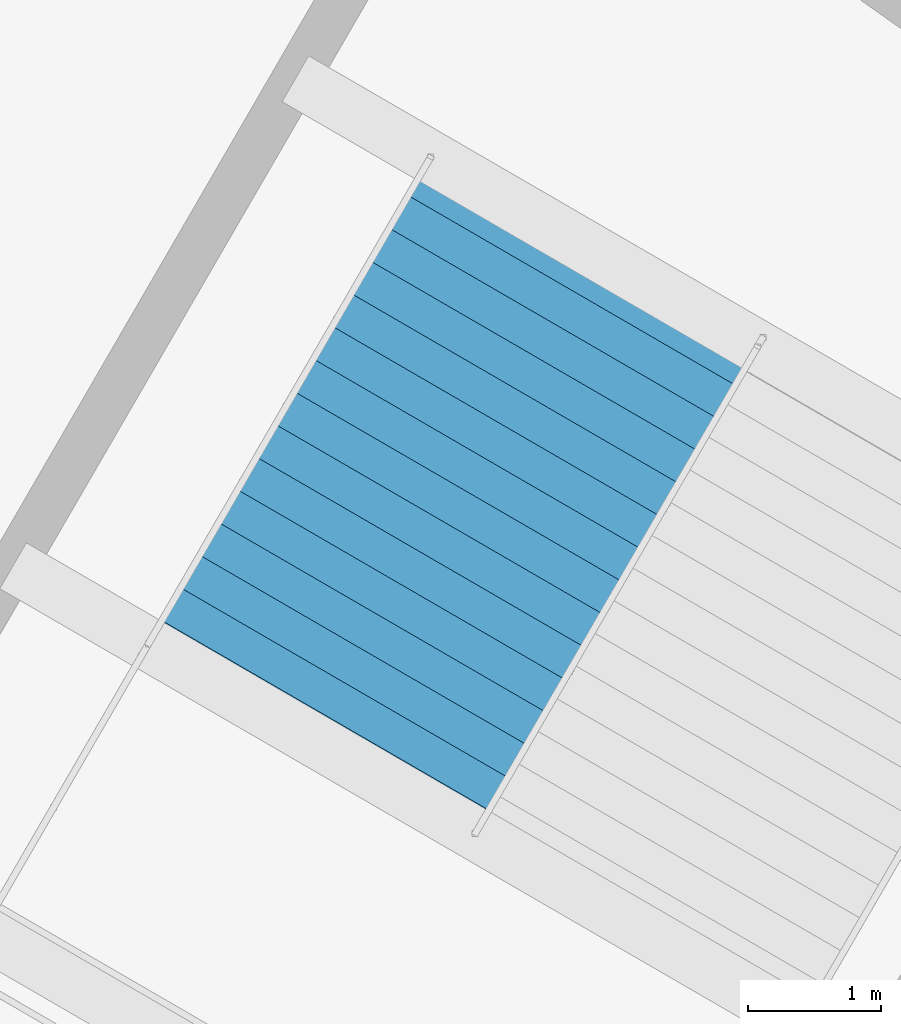
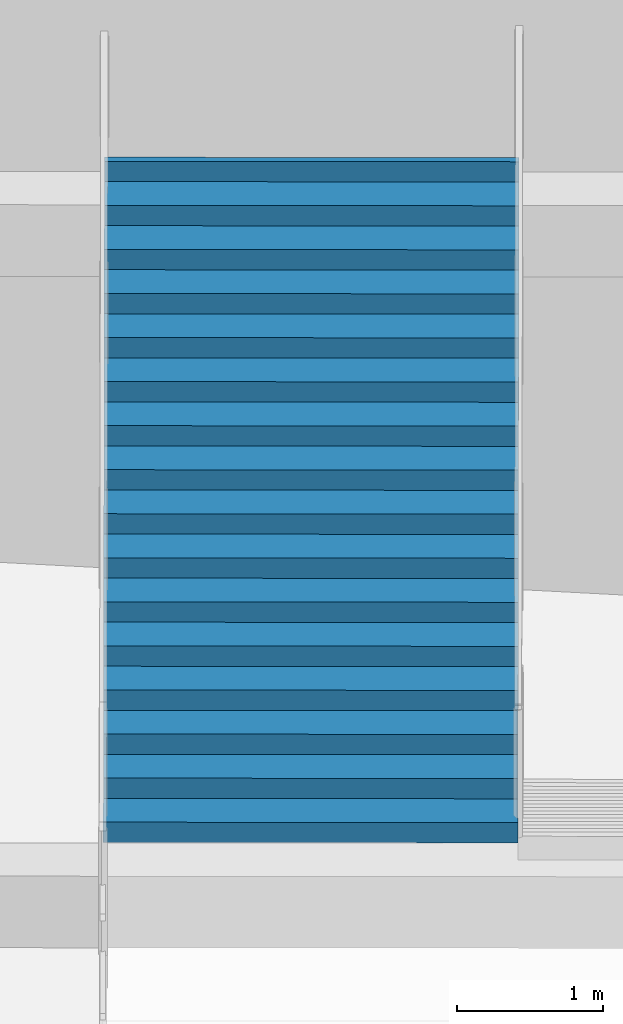
# One storey, part 157 of 186: 1 stair flight, 1 element without a shape of its own.
"""IFC4 building model written with IfcOpenShell, lengths in metres."""

from ifc_helpers import new_model, si_unit, direction, frame, origin, place, context, subcontext, project, spatial, polygons, material, type_object, element, aggregate, save


model = new_model("IFC4")

# Units and contexts
model_context = context("Model", 3, precision=1e-05, world=origin(), true_north=direction((0.0, 1.0)))
body_context = subcontext(model_context, "Body", "Model", "MODEL_VIEW")
ifc_project = project(units=[si_unit("LENGTHUNIT", "METRE"), si_unit("AREAUNIT", "SQUARE_METRE"), si_unit("VOLUMEUNIT", "CUBIC_METRE"), si_unit("PLANEANGLEUNIT", "RADIAN"), si_unit("MASSUNIT", "GRAM", prefix="KILO")], contexts=[model_context])

# Site, building, storey
site_placement = place(None, origin())
site = spatial("IfcSite", under=ifc_project, at=site_placement, CompositionType="ELEMENT")
building_placement = place(site_placement, origin())
building = spatial("IfcBuilding", under=site, at=building_placement, Name="Kazemori Nagisa Stadium", CompositionType="ELEMENT")
storey_placement = place(building_placement, frame((0.0, 0.0, 20.39990234375)))
storey = spatial("IfcBuildingStorey", under=building, at=storey_placement, Name="L04", CompositionType="ELEMENT", Elevation=20.39990234375)

# Stair, stair flight
ifc_material = material(Name="Concrete C36/45 (Fc36)", Category="concrete")
stair_type = type_object("IfcStairType", Name="Stair_CORE_32", PredefinedType="TWO_STRAIGHT_RUN_STAIR", material=ifc_material)
stair_placement = place(storey_placement, origin())
stair = element("IfcStair", 1, at=stair_placement, inside=storey, type_object=stair_type, Name="Exit stair ST08 L04", PredefinedType="TWO_STRAIGHT_RUN_STAIR")
stair_flight_type = type_object("IfcStairFlightType", Name="Flight_CORE_16", PredefinedType="STRAIGHT", material=ifc_material)
stair_flight_placement = place(storey_placement, frame((44.868408203125, 148.343505859375, 2.72021484375), z_axis=(0.0, 0.0, 1.0), x_axis=(0.501596719773, 0.865101572483, 0.0)))
stair_flight = element("IfcStairFlight", 2, at=stair_flight_placement, type_object=stair_flight_type, Name="Exit stair ST08 L04 flight 2", NumberOfRisers=16, NumberOfTreads=15, PredefinedType="STRAIGHT", RiserHeight=0.17, TreadLength=0.285, context=body_context, shape_type="Tessellation", body=[
    polygons([(0.0, -1.425048828125, 0.0), (0.0, -1.425048828125, 0.169921875), (0.284912109375, -1.425048828125, 0.169921875), (0.284912109375, -1.425048828125, 0.340087890625), (0.570068359375, -1.425048828125, 0.340087890625), (0.570068359375, -1.425048828125, 0.510009765625), (0.85498046875, -1.425048828125, 0.510009765625), (0.85498046875, -1.425048828125, 0.679931640625), (1.139892578125, -1.425048828125, 0.679931640625), (1.139892578125, -1.425048828125, 0.85009765625), (1.425048828125, -1.425048828125, 0.85009765625), (1.425048828125, -1.425048828125, 1.02001953125), (1.7099609375, -1.425048828125, 1.02001953125), (1.7099609375, -1.425048828125, 1.18994140625), (1.9951171875, -1.425048828125, 1.18994140625), (1.9951171875, -1.425048828125, 1.360107421875), (2.280029296875, -1.425048828125, 1.360107421875), (2.280029296875, -1.425048828125, 1.530029296875), (2.56494140625, -1.425048828125, 1.530029296875), (2.56494140625, -1.425048828125, 1.699951171875), (2.85009765625, -1.425048828125, 1.699951171875), (2.85009765625, -1.425048828125, 1.8701171875), (3.135009765625, -1.425048828125, 1.8701171875), (3.135009765625, -1.425048828125, 2.0400390625), (3.419921875, -1.425048828125, 2.0400390625), (3.419921875, -1.425048828125, 2.2099609375), (3.705078125, -1.425048828125, 2.2099609375), (3.705078125, -1.425048828125, 2.3798828125), (3.989990234375, -1.425048828125, 2.3798828125), (3.989990234375, -1.425048828125, 2.550048828125), (4.27490234375, -1.425048828125, 2.550048828125), (4.27490234375, -1.425048828125, 2.719970703125), (4.324951171875, -1.425048828125, 2.719970703125), (4.324951171875, -1.425048828125, 2.346923828125), (4.27490234375, -1.425048828125, 2.317138671875), (3.989990234375, -1.425048828125, 2.147216796875), (3.705078125, -1.425048828125, 1.977294921875), (3.419921875, -1.425048828125, 1.80712890625), (3.135009765625, -1.425048828125, 1.63720703125), (2.85009765625, -1.425048828125, 1.46728515625), (2.56494140625, -1.425048828125, 1.297119140625), (2.280029296875, -1.425048828125, 1.127197265625), (1.9951171875, -1.425048828125, 0.957275390625), (1.7099609375, -1.425048828125, 0.787109375), (1.425048828125, -1.425048828125, 0.6171875), (1.139892578125, -1.425048828125, 0.447265625), (0.85498046875, -1.425048828125, 0.277099609375), (0.570068359375, -1.425048828125, 0.107177734375), (0.284912109375, -1.425048828125, 0.0), (0.0, -0.08544921875, 0.0), (0.0, -0.08544921875, 0.169921875), (0.284912109375, -0.08544921875, 0.169921875), (0.284912109375, -0.08544921875, 0.340087890625), (0.570068359375, -0.08544921875, 0.340087890625), (0.570068359375, -0.08544921875, 0.510009765625), (0.85498046875, -0.08544921875, 0.510009765625), (0.85498046875, -0.08544921875, 0.679931640625), (1.139892578125, -0.08544921875, 0.679931640625), (1.139892578125, -0.08544921875, 0.85009765625), (1.425048828125, -0.08544921875, 0.85009765625), (1.425048828125, -0.08544921875, 1.02001953125), (1.7099609375, -0.08544921875, 1.02001953125), (1.7099609375, -0.08544921875, 1.18994140625), (1.9951171875, -0.08544921875, 1.18994140625), (1.9951171875, -0.08544921875, 1.360107421875), (2.280029296875, -0.08544921875, 1.360107421875), (2.280029296875, -0.08544921875, 1.530029296875), (2.56494140625, -0.08544921875, 1.530029296875), (2.56494140625, -0.08544921875, 1.699951171875), (2.85009765625, -0.08544921875, 1.699951171875), (2.85009765625, -0.08544921875, 1.8701171875), (3.135009765625, -0.08544921875, 1.8701171875), (3.135009765625, -0.08544921875, 2.0400390625), (3.419921875, -0.08544921875, 2.0400390625), (3.419921875, -0.08544921875, 2.2099609375), (3.705078125, -0.08544921875, 2.2099609375), (3.705078125, -0.08544921875, 2.3798828125), (3.989990234375, -0.08544921875, 2.3798828125), (3.989990234375, -0.08544921875, 2.550048828125), (4.27490234375, -0.08544921875, 2.550048828125), (4.27490234375, -0.08544921875, 2.719970703125), (4.324951171875, -0.08544921875, 2.719970703125), (4.324951171875, -0.08544921875, 2.346923828125), (4.27490234375, -0.08544921875, 2.317138671875), (3.989990234375, -0.08544921875, 2.147216796875), (3.705078125, -0.08544921875, 1.977294921875), (3.419921875, -0.08544921875, 1.80712890625), (3.135009765625, -0.08544921875, 1.63720703125), (2.85009765625, -0.08544921875, 1.46728515625), (2.56494140625, -0.08544921875, 1.297119140625), (2.280029296875, -0.08544921875, 1.127197265625), (1.9951171875, -0.08544921875, 0.957275390625), (1.7099609375, -0.08544921875, 0.787109375), (1.425048828125, -0.08544921875, 0.6171875), (1.139892578125, -0.08544921875, 0.447265625), (0.85498046875, -0.08544921875, 0.277099609375), (0.570068359375, -0.08544921875, 0.107177734375), (0.284912109375, -0.08544921875, 0.0), (0.0, 0.0, 0.0), (0.0, 0.0, 0.169921875), (0.284912109375, 0.0, 0.169921875), (0.284912109375, 0.0, 0.340087890625), (0.570068359375, 0.0, 0.340087890625), (0.570068359375, 0.0, 0.510009765625), (0.85498046875, 0.0, 0.510009765625), (0.85498046875, 0.0, 0.679931640625), (1.139892578125, 0.0, 0.679931640625), (1.139892578125, 0.0, 0.85009765625), (1.425048828125, 0.0, 0.85009765625), (1.425048828125, 0.0, 1.02001953125), (1.7099609375, 0.0, 1.02001953125), (1.7099609375, 0.0, 1.18994140625), (1.9951171875, 0.0, 1.18994140625), (1.9951171875, 0.0, 1.360107421875), (2.280029296875, 0.0, 1.360107421875), (2.280029296875, 0.0, 1.530029296875), (2.56494140625, 0.0, 1.530029296875), (2.56494140625, 0.0, 1.699951171875), (2.85009765625, 0.0, 1.699951171875), (2.85009765625, 0.0, 1.8701171875), (3.135009765625, 0.0, 1.8701171875), (3.135009765625, 0.0, 2.0400390625), (3.419921875, 0.0, 2.0400390625), (3.419921875, 0.0, 2.2099609375), (3.705078125, 0.0, 2.2099609375), (3.705078125, 0.0, 2.3798828125), (3.989990234375, 0.0, 2.3798828125), (3.989990234375, 0.0, 2.550048828125), (4.27490234375, 0.0, 2.550048828125), (4.27490234375, 0.0, 2.719970703125), (4.324951171875, 0.0, 2.719970703125), (4.324951171875, 0.0, 2.346923828125), (4.27490234375, 0.0, 2.317138671875), (3.989990234375, 0.0, 2.147216796875), (3.705078125, 0.0, 1.977294921875), (3.419921875, 0.0, 1.80712890625), (3.135009765625, 0.0, 1.63720703125), (2.85009765625, 0.0, 1.46728515625), (2.56494140625, 0.0, 1.297119140625), (2.280029296875, 0.0, 1.127197265625), (1.9951171875, 0.0, 0.957275390625), (1.7099609375, 0.0, 0.787109375), (1.425048828125, 0.0, 0.6171875), (1.139892578125, 0.0, 0.447265625), (0.85498046875, 0.0, 0.277099609375), (0.570068359375, 0.0, 0.107177734375), (0.284912109375, 0.0, 0.0), (0.0, 0.08544921875, 0.0), (0.0, 0.08544921875, 0.169921875), (0.284912109375, 0.08544921875, 0.169921875), (0.284912109375, 0.08544921875, 0.340087890625), (0.570068359375, 0.08544921875, 0.340087890625), (0.570068359375, 0.08544921875, 0.510009765625), (0.85498046875, 0.08544921875, 0.510009765625), (0.85498046875, 0.08544921875, 0.679931640625), (1.139892578125, 0.08544921875, 0.679931640625), (1.139892578125, 0.08544921875, 0.85009765625), (1.425048828125, 0.08544921875, 0.85009765625), (1.425048828125, 0.08544921875, 1.02001953125), (1.7099609375, 0.08544921875, 1.02001953125), (1.7099609375, 0.08544921875, 1.18994140625), (1.9951171875, 0.08544921875, 1.18994140625), (1.9951171875, 0.08544921875, 1.360107421875), (2.280029296875, 0.08544921875, 1.360107421875), (2.280029296875, 0.08544921875, 1.530029296875), (2.56494140625, 0.08544921875, 1.530029296875), (2.56494140625, 0.08544921875, 1.699951171875), (2.85009765625, 0.08544921875, 1.699951171875), (2.85009765625, 0.08544921875, 1.8701171875), (3.135009765625, 0.08544921875, 1.8701171875), (3.135009765625, 0.08544921875, 2.0400390625), (3.419921875, 0.08544921875, 2.0400390625), (3.419921875, 0.08544921875, 2.2099609375), (3.705078125, 0.08544921875, 2.2099609375), (3.705078125, 0.08544921875, 2.3798828125), (3.989990234375, 0.08544921875, 2.3798828125), (3.989990234375, 0.08544921875, 2.550048828125), (4.27490234375, 0.08544921875, 2.550048828125), (4.27490234375, 0.08544921875, 2.719970703125), (4.324951171875, 0.08544921875, 2.719970703125), (4.324951171875, 0.08544921875, 2.346923828125), (4.27490234375, 0.08544921875, 2.317138671875), (3.989990234375, 0.08544921875, 2.147216796875), (3.705078125, 0.08544921875, 1.977294921875), (3.419921875, 0.08544921875, 1.80712890625), (3.135009765625, 0.08544921875, 1.63720703125), (2.85009765625, 0.08544921875, 1.46728515625), (2.56494140625, 0.08544921875, 1.297119140625), (2.280029296875, 0.08544921875, 1.127197265625), (1.9951171875, 0.08544921875, 0.957275390625), (1.7099609375, 0.08544921875, 0.787109375), (1.425048828125, 0.08544921875, 0.6171875), (1.139892578125, 0.08544921875, 0.447265625), (0.85498046875, 0.08544921875, 0.277099609375), (0.570068359375, 0.08544921875, 0.107177734375), (0.284912109375, 0.08544921875, 0.0), (0.0, 1.425048828125, 0.0), (0.0, 1.425048828125, 0.169921875), (0.284912109375, 1.425048828125, 0.169921875), (0.284912109375, 1.425048828125, 0.340087890625), (0.570068359375, 1.425048828125, 0.340087890625), (0.570068359375, 1.425048828125, 0.510009765625), (0.85498046875, 1.425048828125, 0.510009765625), (0.85498046875, 1.425048828125, 0.679931640625), (1.139892578125, 1.425048828125, 0.679931640625), (1.139892578125, 1.425048828125, 0.85009765625), (1.425048828125, 1.425048828125, 0.85009765625), (1.425048828125, 1.425048828125, 1.02001953125), (1.7099609375, 1.425048828125, 1.02001953125), (1.7099609375, 1.425048828125, 1.18994140625), (1.9951171875, 1.425048828125, 1.18994140625), (1.9951171875, 1.425048828125, 1.360107421875), (2.280029296875, 1.425048828125, 1.360107421875), (2.280029296875, 1.425048828125, 1.530029296875), (2.56494140625, 1.425048828125, 1.530029296875), (2.56494140625, 1.425048828125, 1.699951171875), (2.85009765625, 1.425048828125, 1.699951171875), (2.85009765625, 1.425048828125, 1.8701171875), (3.135009765625, 1.425048828125, 1.8701171875), (3.135009765625, 1.425048828125, 2.0400390625), (3.419921875, 1.425048828125, 2.0400390625), (3.419921875, 1.425048828125, 2.2099609375), (3.705078125, 1.425048828125, 2.2099609375), (3.705078125, 1.425048828125, 2.3798828125), (3.989990234375, 1.425048828125, 2.3798828125), (3.989990234375, 1.425048828125, 2.550048828125), (4.27490234375, 1.425048828125, 2.550048828125), (4.27490234375, 1.425048828125, 2.719970703125), (4.324951171875, 1.425048828125, 2.719970703125), (4.324951171875, 1.425048828125, 2.346923828125), (4.27490234375, 1.425048828125, 2.317138671875), (3.989990234375, 1.425048828125, 2.147216796875), (3.705078125, 1.425048828125, 1.977294921875), (3.419921875, 1.425048828125, 1.80712890625), (3.135009765625, 1.425048828125, 1.63720703125), (2.85009765625, 1.425048828125, 1.46728515625), (2.56494140625, 1.425048828125, 1.297119140625), (2.280029296875, 1.425048828125, 1.127197265625), (1.9951171875, 1.425048828125, 0.957275390625), (1.7099609375, 1.425048828125, 0.787109375), (1.425048828125, 1.425048828125, 0.6171875), (1.139892578125, 1.425048828125, 0.447265625), (0.85498046875, 1.425048828125, 0.277099609375), (0.570068359375, 1.425048828125, 0.107177734375), (0.284912109375, 1.425048828125, 0.0)], [[[1, 2, 51]], [[1, 51, 50]], [[2, 3, 52]], [[2, 52, 51]], [[3, 4, 53]], [[3, 53, 52]], [[4, 5, 54]], [[4, 54, 53]], [[5, 6, 55]], [[5, 55, 54]], [[6, 7, 56]], [[6, 56, 55]], [[7, 8, 57]], [[7, 57, 56]], [[8, 9, 58]], [[8, 58, 57]], [[9, 10, 59]], [[9, 59, 58]], [[10, 11, 60]], [[10, 60, 59]], [[11, 12, 61]], [[11, 61, 60]], [[12, 13, 62]], [[12, 62, 61]], [[13, 14, 63]], [[13, 63, 62]], [[14, 15, 64]], [[14, 64, 63]], [[15, 16, 65]], [[15, 65, 64]], [[16, 17, 66]], [[16, 66, 65]], [[17, 18, 67]], [[17, 67, 66]], [[18, 19, 68]], [[18, 68, 67]], [[19, 20, 69]], [[19, 69, 68]], [[20, 21, 70]], [[20, 70, 69]], [[21, 22, 71]], [[21, 71, 70]], [[22, 23, 72]], [[22, 72, 71]], [[23, 24, 73]], [[23, 73, 72]], [[24, 25, 74]], [[24, 74, 73]], [[25, 26, 75]], [[25, 75, 74]], [[26, 27, 76]], [[26, 76, 75]], [[27, 28, 77]], [[27, 77, 76]], [[28, 29, 78]], [[28, 78, 77]], [[29, 30, 79]], [[29, 79, 78]], [[30, 31, 80]], [[30, 80, 79]], [[31, 32, 81]], [[31, 81, 80]], [[32, 33, 82]], [[32, 82, 81]], [[33, 34, 83]], [[33, 83, 82]], [[34, 35, 84]], [[34, 84, 83]], [[35, 36, 85]], [[35, 85, 84]], [[36, 37, 86]], [[36, 86, 85]], [[37, 38, 87]], [[37, 87, 86]], [[38, 39, 88]], [[38, 88, 87]], [[39, 40, 89]], [[39, 89, 88]], [[40, 41, 90]], [[40, 90, 89]], [[41, 42, 91]], [[41, 91, 90]], [[42, 43, 92]], [[42, 92, 91]], [[43, 44, 93]], [[43, 93, 92]], [[44, 45, 94]], [[44, 94, 93]], [[45, 46, 95]], [[45, 95, 94]], [[46, 47, 96]], [[46, 96, 95]], [[47, 48, 97]], [[47, 97, 96]], [[48, 49, 98]], [[48, 98, 97]], [[49, 1, 50]], [[49, 50, 98]], [[50, 51, 100]], [[50, 100, 99]], [[51, 52, 101]], [[51, 101, 100]], [[52, 53, 102]], [[52, 102, 101]], [[53, 54, 103]], [[53, 103, 102]], [[54, 55, 104]], [[54, 104, 103]], [[55, 56, 105]], [[55, 105, 104]], [[56, 57, 106]], [[56, 106, 105]], [[57, 58, 107]], [[57, 107, 106]], [[58, 59, 108]], [[58, 108, 107]], [[59, 60, 109]], [[59, 109, 108]], [[60, 61, 110]], [[60, 110, 109]], [[61, 62, 111]], [[61, 111, 110]], [[62, 63, 112]], [[62, 112, 111]], [[63, 64, 113]], [[63, 113, 112]], [[64, 65, 114]], [[64, 114, 113]], [[65, 66, 115]], [[65, 115, 114]], [[66, 67, 116]], [[66, 116, 115]], [[67, 68, 117]], [[67, 117, 116]], [[68, 69, 118]], [[68, 118, 117]], [[69, 70, 119]], [[69, 119, 118]], [[70, 71, 120]], [[70, 120, 119]], [[71, 72, 121]], [[71, 121, 120]], [[72, 73, 122]], [[72, 122, 121]], [[73, 74, 123]], [[73, 123, 122]], [[74, 75, 124]], [[74, 124, 123]], [[75, 76, 125]], [[75, 125, 124]], [[76, 77, 126]], [[76, 126, 125]], [[77, 78, 127]], [[77, 127, 126]], [[78, 79, 128]], [[78, 128, 127]], [[79, 80, 129]], [[79, 129, 128]], [[80, 81, 130]], [[80, 130, 129]], [[81, 82, 131]], [[81, 131, 130]], [[82, 83, 132]], [[82, 132, 131]], [[83, 84, 133]], [[83, 133, 132]], [[84, 85, 134]], [[84, 134, 133]], [[85, 86, 135]], [[85, 135, 134]], [[86, 87, 136]], [[86, 136, 135]], [[87, 88, 137]], [[87, 137, 136]], [[88, 89, 138]], [[88, 138, 137]], [[89, 90, 139]], [[89, 139, 138]], [[90, 91, 140]], [[90, 140, 139]], [[91, 92, 141]], [[91, 141, 140]], [[92, 93, 142]], [[92, 142, 141]], [[93, 94, 143]], [[93, 143, 142]], [[94, 95, 144]], [[94, 144, 143]], [[95, 96, 145]], [[95, 145, 144]], [[96, 97, 146]], [[96, 146, 145]], [[97, 98, 147]], [[97, 147, 146]], [[98, 50, 99]], [[98, 99, 147]], [[99, 100, 149]], [[99, 149, 148]], [[100, 101, 150]], [[100, 150, 149]], [[101, 102, 151]], [[101, 151, 150]], [[102, 103, 152]], [[102, 152, 151]], [[103, 104, 153]], [[103, 153, 152]], [[104, 105, 154]], [[104, 154, 153]], [[105, 106, 155]], [[105, 155, 154]], [[106, 107, 156]], [[106, 156, 155]], [[107, 108, 157]], [[107, 157, 156]], [[108, 109, 158]], [[108, 158, 157]], [[109, 110, 159]], [[109, 159, 158]], [[110, 111, 160]], [[110, 160, 159]], [[111, 112, 161]], [[111, 161, 160]], [[112, 113, 162]], [[112, 162, 161]], [[113, 114, 163]], [[113, 163, 162]], [[114, 115, 164]], [[114, 164, 163]], [[115, 116, 165]], [[115, 165, 164]], [[116, 117, 166]], [[116, 166, 165]], [[117, 118, 167]], [[117, 167, 166]], [[118, 119, 168]], [[118, 168, 167]], [[119, 120, 169]], [[119, 169, 168]], [[120, 121, 170]], [[120, 170, 169]], [[121, 122, 171]], [[121, 171, 170]], [[122, 123, 172]], [[122, 172, 171]], [[123, 124, 173]], [[123, 173, 172]], [[124, 125, 174]], [[124, 174, 173]], [[125, 126, 175]], [[125, 175, 174]], [[126, 127, 176]], [[126, 176, 175]], [[127, 128, 177]], [[127, 177, 176]], [[128, 129, 178]], [[128, 178, 177]], [[129, 130, 179]], [[129, 179, 178]], [[130, 131, 180]], [[130, 180, 179]], [[131, 132, 181]], [[131, 181, 180]], [[132, 133, 182]], [[132, 182, 181]], [[133, 134, 183]], [[133, 183, 182]], [[134, 135, 184]], [[134, 184, 183]], [[135, 136, 185]], [[135, 185, 184]], [[136, 137, 186]], [[136, 186, 185]], [[137, 138, 187]], [[137, 187, 186]], [[138, 139, 188]], [[138, 188, 187]], [[139, 140, 189]], [[139, 189, 188]], [[140, 141, 190]], [[140, 190, 189]], [[141, 142, 191]], [[141, 191, 190]], [[142, 143, 192]], [[142, 192, 191]], [[143, 144, 193]], [[143, 193, 192]], [[144, 145, 194]], [[144, 194, 193]], [[145, 146, 195]], [[145, 195, 194]], [[146, 147, 196]], [[146, 196, 195]], [[147, 99, 148]], [[147, 148, 196]], [[148, 149, 198]], [[148, 198, 197]], [[149, 150, 199]], [[149, 199, 198]], [[150, 151, 200]], [[150, 200, 199]], [[151, 152, 201]], [[151, 201, 200]], [[152, 153, 202]], [[152, 202, 201]], [[153, 154, 203]], [[153, 203, 202]], [[154, 155, 204]], [[154, 204, 203]], [[155, 156, 205]], [[155, 205, 204]], [[156, 157, 206]], [[156, 206, 205]], [[157, 158, 207]], [[157, 207, 206]], [[158, 159, 208]], [[158, 208, 207]], [[159, 160, 209]], [[159, 209, 208]], [[160, 161, 210]], [[160, 210, 209]], [[161, 162, 211]], [[161, 211, 210]], [[162, 163, 212]], [[162, 212, 211]], [[163, 164, 213]], [[163, 213, 212]], [[164, 165, 214]], [[164, 214, 213]], [[165, 166, 215]], [[165, 215, 214]], [[166, 167, 216]], [[166, 216, 215]], [[167, 168, 217]], [[167, 217, 216]], [[168, 169, 218]], [[168, 218, 217]], [[169, 170, 219]], [[169, 219, 218]], [[170, 171, 220]], [[170, 220, 219]], [[171, 172, 221]], [[171, 221, 220]], [[172, 173, 222]], [[172, 222, 221]], [[173, 174, 223]], [[173, 223, 222]], [[174, 175, 224]], [[174, 224, 223]], [[175, 176, 225]], [[175, 225, 224]], [[176, 177, 226]], [[176, 226, 225]], [[177, 178, 227]], [[177, 227, 226]], [[178, 179, 228]], [[178, 228, 227]], [[179, 180, 229]], [[179, 229, 228]], [[180, 181, 230]], [[180, 230, 229]], [[181, 182, 231]], [[181, 231, 230]], [[182, 183, 232]], [[182, 232, 231]], [[183, 184, 233]], [[183, 233, 232]], [[184, 185, 234]], [[184, 234, 233]], [[185, 186, 235]], [[185, 235, 234]], [[186, 187, 236]], [[186, 236, 235]], [[187, 188, 237]], [[187, 237, 236]], [[188, 189, 238]], [[188, 238, 237]], [[189, 190, 239]], [[189, 239, 238]], [[190, 191, 240]], [[190, 240, 239]], [[191, 192, 241]], [[191, 241, 240]], [[192, 193, 242]], [[192, 242, 241]], [[193, 194, 243]], [[193, 243, 242]], [[194, 195, 244]], [[194, 244, 243]], [[195, 196, 245]], [[195, 245, 244]], [[196, 148, 197]], [[196, 197, 245]], [[3, 2, 1]], [[197, 198, 199]], [[49, 3, 1]], [[197, 199, 245]], [[48, 3, 49]], [[245, 199, 244]], [[5, 3, 48]], [[244, 199, 201]], [[5, 4, 3]], [[199, 200, 201]], [[47, 5, 48]], [[244, 201, 243]], [[7, 5, 47]], [[243, 201, 203]], [[7, 6, 5]], [[201, 202, 203]], [[46, 7, 47]], [[243, 203, 242]], [[9, 7, 46]], [[242, 203, 205]], [[9, 8, 7]], [[203, 204, 205]], [[45, 9, 46]], [[242, 205, 241]], [[11, 9, 45]], [[241, 205, 207]], [[11, 10, 9]], [[205, 206, 207]], [[44, 11, 45]], [[241, 207, 240]], [[13, 11, 44]], [[240, 207, 209]], [[13, 12, 11]], [[207, 208, 209]], [[43, 13, 44]], [[240, 209, 239]], [[15, 13, 43]], [[239, 209, 211]], [[15, 14, 13]], [[209, 210, 211]], [[42, 15, 43]], [[239, 211, 238]], [[17, 15, 42]], [[238, 211, 213]], [[17, 16, 15]], [[211, 212, 213]], [[41, 17, 42]], [[238, 213, 237]], [[19, 17, 41]], [[237, 213, 215]], [[19, 18, 17]], [[213, 214, 215]], [[40, 19, 41]], [[237, 215, 236]], [[21, 19, 40]], [[236, 215, 217]], [[21, 20, 19]], [[215, 216, 217]], [[39, 21, 40]], [[236, 217, 235]], [[23, 21, 39]], [[235, 217, 219]], [[23, 22, 21]], [[217, 218, 219]], [[38, 23, 39]], [[235, 219, 234]], [[25, 23, 38]], [[234, 219, 221]], [[25, 24, 23]], [[219, 220, 221]], [[37, 25, 38]], [[234, 221, 233]], [[27, 25, 37]], [[233, 221, 223]], [[27, 26, 25]], [[221, 222, 223]], [[36, 27, 37]], [[233, 223, 232]], [[29, 27, 36]], [[232, 223, 225]], [[29, 28, 27]], [[223, 224, 225]], [[35, 29, 36]], [[232, 225, 231]], [[31, 29, 35]], [[231, 225, 227]], [[31, 30, 29]], [[225, 226, 227]], [[34, 31, 35]], [[231, 227, 230]], [[33, 31, 34]], [[230, 227, 229]], [[33, 32, 31]], [[227, 228, 229]]], closed=True),
])
aggregate(stair, [stair_flight])

save(model, "model.ifc")
